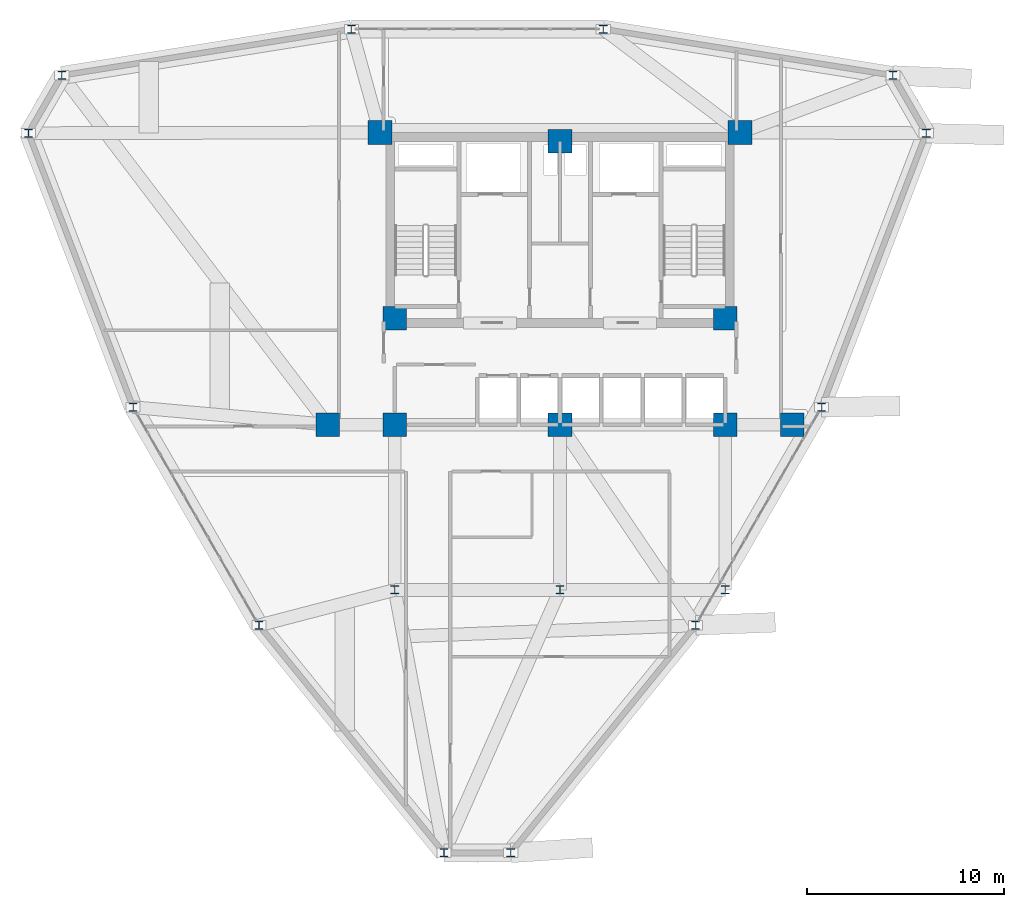
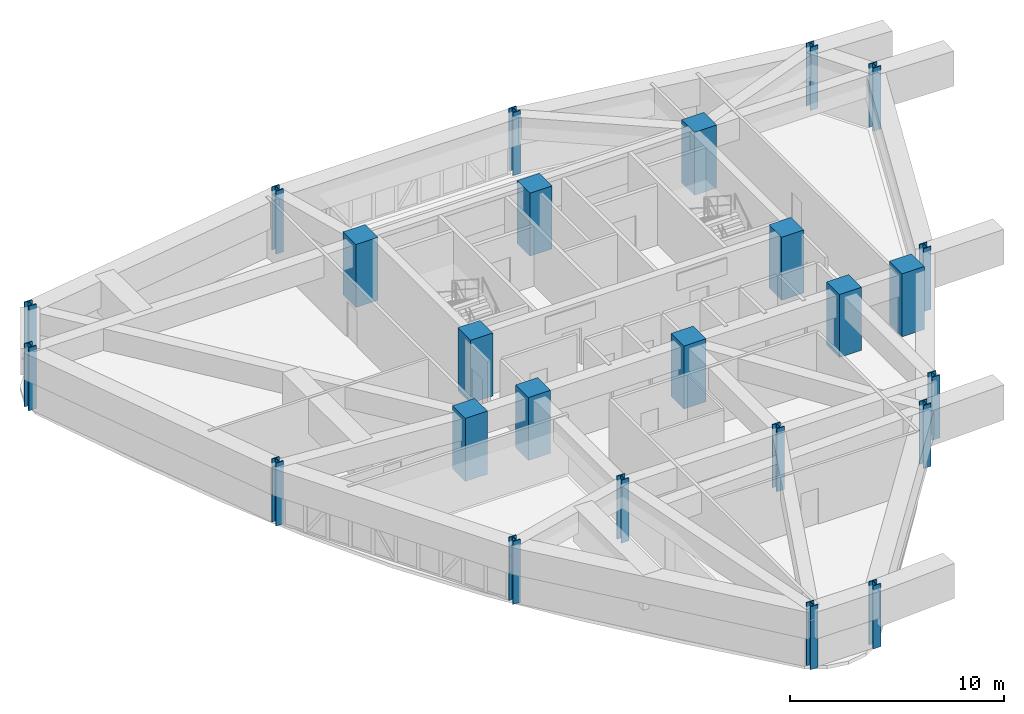
# One storey, part 1 of 15: 25 columns.
"""IFC4 building model written with IfcOpenShell, lengths in metres."""

from ifc_helpers import new_model, si_unit, derived_unit, direction, frame, origin, origin_2d, place, context, subcontext, project, spatial, rectangle, i_section, extrude, source, transform, mapped, material, material_profile, profile_set, type_object, element, save


model = new_model("IFC4")

# Units and contexts
model_context = context("Model", 3, precision=1e-05, world=origin(), true_north=direction((0.0, 1.0)))
body_context = subcontext(model_context, "Body", "Model", "MODEL_VIEW")
ifc_project = project(units=[si_unit("LENGTHUNIT", "METRE"), si_unit("AREAUNIT", "SQUARE_METRE"), si_unit("VOLUMEUNIT", "CUBIC_METRE"), si_unit("PLANEANGLEUNIT", "RADIAN"), si_unit("MASSUNIT", "GRAM", prefix="KILO"), derived_unit("THERMALTRANSMITTANCEUNIT", [(si_unit("POWERUNIT", "WATT"), 1), (si_unit("LENGTHUNIT", "METRE"), -2), (si_unit("THERMODYNAMICTEMPERATUREUNIT", "KELVIN"), -1)])], contexts=[model_context])

# Site, building, storey
site_placement = place(None, origin())
site = spatial("IfcSite", under=ifc_project, at=site_placement, CompositionType="ELEMENT")
building_placement = place(site_placement, origin())
building = spatial("IfcBuilding", under=site, at=building_placement, Name="Korsvarv Bourse and Concert Hall", CompositionType="ELEMENT")
storey_placement = place(building_placement, frame((0.0, 0.0, 165.0)))
storey = spatial("IfcBuildingStorey", under=building, at=storey_placement, Name="L42", CompositionType="ELEMENT", Elevation=165.0)

# Columns
ifc_material_1 = material(Name="Concrete C60/75", Category="concrete")
ifc_material_profile_1 = material_profile(ifc_material_1, rectangle(XDim=1.199951171875, YDim=1.199951171875, at=origin_2d()), Name="RC 1200x1200")
ifc_profile_set_1 = profile_set([ifc_material_profile_1], Name="Concrete C60/75")
column_type_1 = type_object("IfcColumnType", Name="COL-RC1200", PredefinedType="COLUMN", material=ifc_profile_set_1)
shared_shape_1 = source(origin(), body_context, "Body", "SweptSolid", [
    extrude(rectangle(XDim=1.199951171875, YDim=1.199951171875, at=origin_2d()), origin(), (0.0, 0.0, 1.0), 3.60009765625),
])
for number, where, z_axis, x_axis, name in (
    (1, (26.85009765625, 47.25, 0.0), (0.0, 0.0, 1.0), (1.0, 0.0, 0.0), "L42 column C-02"),
    (2, (45.14990234375, 47.25, 0.0), (0.0, 0.0, 1.0), (1.0, 0.0, 0.0), "L42 column C-02"),
    (3, (27.60009765625, 37.800048828125, 0.0), (0.0, 0.0, 1.0), (1.0, 0.0, 0.0), "L42 column C-02"),
    (4, (44.39990234375, 37.800048828125, 0.0), (0.0, 0.0, 1.0), (1.0, 0.0, 0.0), "L42 column C-02"),
    (5, (27.60009765625, 32.39990234375, 0.0), (0.0, 0.0, 1.0), (1.0, 0.0, 0.0), "L42 column C-02"),
    (6, (44.39990234375, 32.39990234375, 0.0), (0.0, 0.0, 1.0), (1.0, 0.0, 0.0), "L42 column C-02"),
    (7, (36.0, 46.800048828125, 0.0), (0.0, 0.0, 1.0), (1.0, 0.0, 0.0), "L42 column C-02"),
    (8, (36.0, 32.39990234375, 0.0), (0.0, 0.0, 1.0), (1.0, 0.0, 0.0), "L42 column C-02"),
    (9, (24.199951171875, 32.39990234375, 0.0), (0.0, 0.0, 1.0), (1.0, 0.0, 0.0), "L42 column C-02"),
    (10, (47.800048828125, 32.39990234375, 0.0), (0.0, 0.0, 1.0), (1.0, 0.0, 0.0), "L42 column C-02"),
):
    element("IfcColumn", number, at=place(storey_placement, frame(where, z_axis=z_axis, x_axis=x_axis)), inside=storey, type_object=column_type_1, Name=name, PredefinedType="COLUMN", context=body_context, shape_type="MappedRepresentation", body=[
        mapped(shared_shape_1, transform((0.0, 0.0, 0.0), scale=1.0)),
    ])
ifc_material_2 = material(Name="Steel S355", Category="steel")
ifc_material_profile_2 = material_profile(ifc_material_2, i_section(OverallWidth=0.412109375, OverallDepth=0.43505859375, WebThickness=0.032958984375, FlangeThickness=0.052978515625, FilletRadius=0.014892578125, at=origin_2d()), Name="HD 400x463")
ifc_profile_set_2 = profile_set([ifc_material_profile_2], Name="Steel S355")
column_type_2 = type_object("IfcColumnType", Name="COL-HD463", PredefinedType="COLUMN", material=ifc_profile_set_2)
shared_shape_2 = source(origin(), body_context, "Body", "SweptSolid", [
    extrude(i_section(OverallWidth=0.412109375, OverallDepth=0.43505859375, WebThickness=0.032958984375, FlangeThickness=0.052978515625, FilletRadius=0.014892578125, at=origin_2d()), origin(), (0.0, 0.0, 1.0), 3.60009765625),
])
for number, where, z_axis, x_axis, name in (
    (11, (27.60009765625, 24.0, 0.0), (0.0, 0.0, 1.0), (1.0, 0.0, 0.0), "L42 column C-09"),
    (12, (44.39990234375, 24.0, 0.0), (0.0, 0.0, 1.0), (1.0, 0.0, 0.0), "L42 column C-09"),
    (13, (36.0, 24.0, 0.0), (0.0, 0.0, 1.0), (1.0, 0.0, 0.0), "L42 column C-09"),
    (14, (54.6142578125, 47.2138671875, 0.0), (0.0, 0.0, 1.0), (1.0, 0.0, 0.0), "L42 column C-09"),
    (15, (52.918701171875, 50.15087890625, 0.0), (0.0, 0.0, 1.0), (1.0, 0.0, 0.0), "L42 column C-09"),
    (16, (38.201416015625, 52.507568359375, 0.0), (0.0, 0.0, 1.0), (1.0, 0.0, 0.0), "L42 column C-09"),
    (17, (25.3984375, 52.507568359375, 0.0), (0.0, 0.0, 1.0), (1.0, 0.0, 0.0), "L42 column C-09"),
    (18, (10.681396484375, 50.15087890625, 0.0), (0.0, 0.0, 1.0), (1.0, 0.0, 0.0), "L42 column C-09"),
    (19, (8.985595703125, 47.2138671875, 0.0), (0.0, 0.0, 1.0), (1.0, 0.0, 0.0), "L42 column C-09"),
    (20, (14.30322265625, 33.2900390625, 0.0), (0.0, 0.0, 1.0), (1.0, 0.0, 0.0), "L42 column C-09"),
    (21, (20.704833984375, 22.202392578125, 0.0), (0.0, 0.0, 1.0), (1.0, 0.0, 0.0), "L42 column C-09"),
    (22, (30.104248046875, 10.63525390625, 0.0), (0.0, 0.0, 1.0), (1.0, 0.0, 0.0), "L42 column C-09"),
    (23, (33.49560546875, 10.63525390625, 0.0), (0.0, 0.0, 1.0), (1.0, 0.0, 0.0), "L42 column C-09"),
    (24, (42.895263671875, 22.202392578125, 0.0), (0.0, 0.0, 1.0), (1.0, 0.0, 0.0), "L42 column C-09"),
    (25, (49.296630859375, 33.2900390625, 0.0), (0.0, 0.0, 1.0), (1.0, 0.0, 0.0), "L42 column C-09"),
):
    element("IfcColumn", number, at=place(storey_placement, frame(where, z_axis=z_axis, x_axis=x_axis)), inside=storey, type_object=column_type_2, Name=name, PredefinedType="COLUMN", context=body_context, shape_type="MappedRepresentation", body=[
        mapped(shared_shape_2, transform((0.0, 0.0, 0.0), scale=1.0)),
    ])

save(model, "model.ifc")
